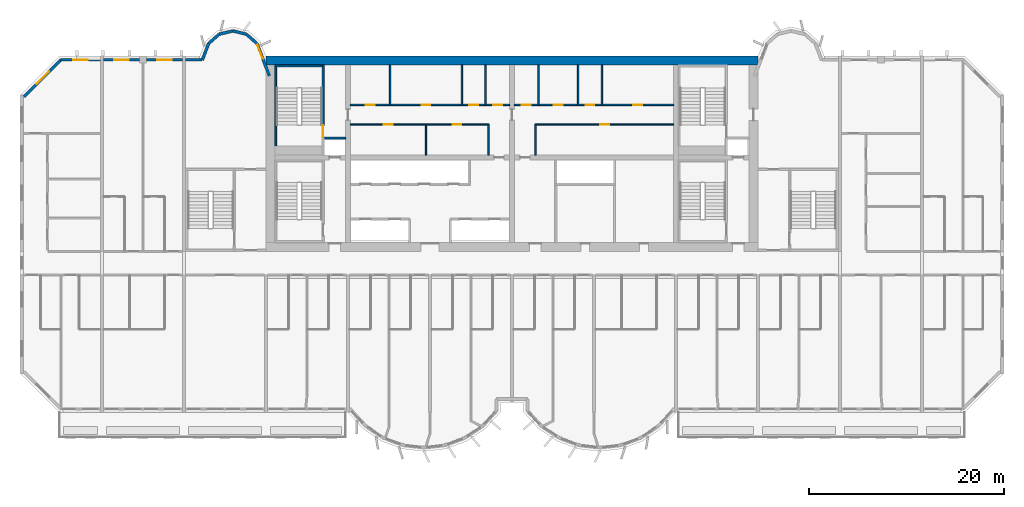
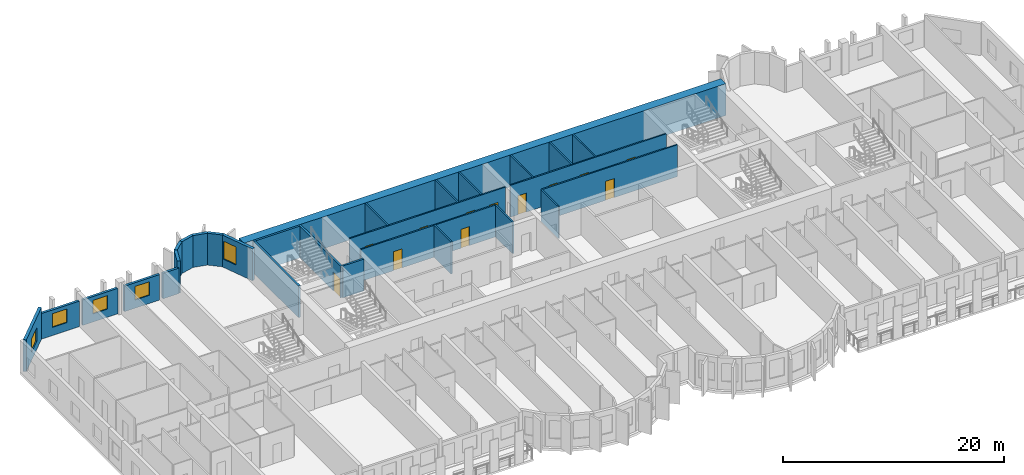
# One storey, part 7 of 14: 29 walls, 12 doors, 5 windows, 17 openings.
"""IFC4 building model written with IfcOpenShell, lengths in metres."""

from ifc_helpers import new_model, si_unit, direction, frame, frame_2d, origin, place, context, subcontext, project, spatial, rectangle, extrude, source, transform, mapped, material, layer, layer_set, type_object, element, fill, save


model = new_model("IFC4")

# Units and contexts
model_context = context("Model", 3, precision=1e-05, world=origin(), true_north=direction((0.0, 1.0)))
body_context = subcontext(model_context, "Body", "Model", "MODEL_VIEW")
ifc_project = project(units=[si_unit("LENGTHUNIT", "METRE"), si_unit("AREAUNIT", "SQUARE_METRE"), si_unit("VOLUMEUNIT", "CUBIC_METRE"), si_unit("PLANEANGLEUNIT", "RADIAN"), si_unit("MASSUNIT", "GRAM", prefix="KILO")], contexts=[model_context])

# Site, building, storey
site_placement = place(None, origin())
site = spatial("IfcSite", under=ifc_project, at=site_placement, CompositionType="ELEMENT")
building_placement = place(site_placement, origin())
building = spatial("IfcBuilding", under=site, at=building_placement, Name="Vanashikhar Sky Hotel", CompositionType="ELEMENT")
storey_placement = place(building_placement, frame((0.0, 0.0, 99.0)))
storey = spatial("IfcBuildingStorey", under=building, at=storey_placement, Name="L23", CompositionType="ELEMENT", Elevation=99.0)

# Wall
ifc_material_1 = material(Name="Concrete M70", Category="concrete")
ifc_layer_1 = layer(ifc_material_1, 0.89990234375)
ifc_layer_set_1 = layer_set([ifc_layer_1], Name="RC core shell wall 900 Concrete M70")
wall_type_1 = type_object("IfcWallType", Name="RC core shell wall 900 Concrete M70", PredefinedType="SHEAR", material=ifc_layer_set_1)
shared_shape_1 = source(origin(), body_context, "Body", "SweptSolid", [
    extrude(rectangle(XDim=50.400146484375, YDim=0.89990234375, at=frame_2d((25.2001953125, 0.0))), origin(), (0.0, 0.0, 1.0), 3.52001953125),
])
wall_1_placement = place(storey_placement, frame((25.199951171875, 41.550048828125, 0.0), z_axis=(0.0, 0.0, 1.0), x_axis=(1.0, 0.0, 0.0)))
element("IfcWall", 1, at=wall_1_placement, inside=storey, type_object=wall_type_1, Name="KW-L23-KN", PredefinedType="SHEAR", context=body_context, shape_type="MappedRepresentation", body=[
    mapped(shared_shape_1, transform((0.0, 0.0, 0.0), scale=1.0)),
])

# Wall, opening, window
ifc_material_2 = material(Name="Concrete M50", Category="concrete")
ifc_layer_2 = layer(ifc_material_2, 0.300048828125)
ifc_layer_set_2 = layer_set([ifc_layer_2], Name="Lobe wall 300")
wall_type_2 = type_object("IfcWallType", Name="Lobe wall 300", PredefinedType="SOLIDWALL", material=ifc_layer_set_2)
shared_shape_2 = source(origin(), body_context, "Body", "SweptSolid", [
    extrude(rectangle(XDim=5.32568359375, YDim=0.300048828125, at=frame_2d((2.662841796875, 0.0))), origin(), (0.0, 0.0, 1.0), 3.52001953125),
])
wall_2_placement = place(storey_placement, frame((4.165771484375, 41.60009765625, 0.0), z_axis=(0.0, 0.0, 1.0), x_axis=(-0.707106781187, -0.707106781187, 0.0)))
wall_2 = element("IfcWall", 2, at=wall_2_placement, inside=storey, type_object=wall_type_2, Name="Corner wall", PredefinedType="SOLIDWALL", context=body_context, shape_type="MappedRepresentation", body=[
    mapped(shared_shape_2, transform((0.0, 0.0, 0.0), scale=1.0)),
])
shared_shape_3 = source(origin(), body_context, "Body", "SweptSolid", [
    extrude(rectangle(XDim=1.800048828125, YDim=1.5, at=frame_2d((0.89990234375, 0.75))), frame((0.0, 0.16015625, 0.0), z_axis=(0.0, -1.0, 0.0), x_axis=(1.0, 0.0, 0.0)), (0.0, 0.0, 1.0), 0.320068359375),
])
opening_1_placement = place(wall_2_placement, frame((1.671875, 0.0, 0.89990234375)))
opening_1 = element("IfcOpeningElement", 3, at=opening_1_placement, cuts=wall_2, Name="Opening WN-4", PredefinedType="OPENING", context=body_context, shape_type="MappedRepresentation", body=[
    mapped(shared_shape_3, transform((0.0, 0.0, 0.0), scale=1.0)),
])
ifc_material_3 = material(Name="Glass", Category="glass")
window_type_1 = type_object("IfcWindowType", Name="Corner window 1800 x 1500", PartitioningType="SINGLE_PANEL", PredefinedType="WINDOW", material=ifc_material_3)
shared_shape_4 = source(origin(), body_context, "Body", "SweptSolid", [
    extrude(rectangle(XDim=1.800048828125, YDim=1.5, at=frame_2d((0.89990234375, 0.75))), frame((0.0, 0.030029296875, 0.0), z_axis=(0.0, -1.0, 0.0), x_axis=(1.0, 0.0, 0.0)), (0.0, 0.0, 1.0), 0.06005859375),
])
window_1_placement = place(opening_1_placement, origin())
window_1 = element("IfcWindow", 4, at=window_1_placement, inside=storey, type_object=window_type_1, Name="Window WN-4", OverallHeight=1.5, OverallWidth=1.800048828125, PartitioningType="SINGLE_PANEL", PredefinedType="WINDOW", context=body_context, shape_type="MappedRepresentation", body=[
    mapped(shared_shape_4, transform((0.0, 0.0, 0.0), scale=1.0)),
])
fill(opening_1, window_1)

shared_shape_5 = source(origin(), body_context, "Body", "SweptSolid", [
    extrude(rectangle(XDim=3.55908203125, YDim=0.300048828125, at=frame_2d((1.779541015625, 0.0))), origin(), (0.0, 0.0, 1.0), 3.52001953125),
])
wall_3_placement = place(storey_placement, frame((25.550048828125, 39.968505859375, 0.0), z_axis=(0.0, 0.0, 1.0), x_axis=(-0.35779745313, 0.933799219604, 0.0)))
wall_3 = element("IfcWall", 5, at=wall_3_placement, inside=storey, type_object=wall_type_2, Name="Lobe wall", PredefinedType="SOLIDWALL", context=body_context, shape_type="MappedRepresentation", body=[
    mapped(shared_shape_5, transform((0.0, 0.0, 0.0), scale=1.0)),
])
shared_shape_6 = source(origin(), body_context, "Body", "SweptSolid", [
    extrude(rectangle(XDim=1.5, YDim=2.0, at=frame_2d((0.75, 1.0))), frame((0.0, 0.16015625, 0.0), z_axis=(0.0, -1.0, 0.0), x_axis=(1.0, 0.0, 0.0)), (0.0, 0.0, 1.0), 0.320068359375),
])
opening_2_placement = place(wall_3_placement, frame((1.9033203125, 0.0, 0.89990234375)))
opening_2 = element("IfcOpeningElement", 6, at=opening_2_placement, cuts=wall_3, Name="Opening WN-2", PredefinedType="OPENING", context=body_context, shape_type="MappedRepresentation", body=[
    mapped(shared_shape_6, transform((0.0, 0.0, 0.0), scale=1.0)),
])
window_type_2 = type_object("IfcWindowType", Name="Lobe window 1500 x 2000", PartitioningType="SINGLE_PANEL", PredefinedType="WINDOW", material=ifc_material_3)
shared_shape_7 = source(origin(), body_context, "Body", "SweptSolid", [
    extrude(rectangle(XDim=1.5, YDim=2.0, at=frame_2d((0.75, 1.0))), frame((0.0, 0.030029296875, 0.0), z_axis=(0.0, -1.0, 0.0), x_axis=(1.0, 0.0, 0.0)), (0.0, 0.0, 1.0), 0.06005859375),
])
window_2_placement = place(opening_2_placement, origin())
window_2 = element("IfcWindow", 7, at=window_2_placement, inside=storey, type_object=window_type_2, Name="Window WN-2", OverallHeight=2.0, OverallWidth=1.5, PartitioningType="SINGLE_PANEL", PredefinedType="WINDOW", context=body_context, shape_type="MappedRepresentation", body=[
    mapped(shared_shape_7, transform((0.0, 0.0, 0.0), scale=1.0)),
])
fill(opening_2, window_2)

# Walls
shared_shape_8 = source(origin(), body_context, "Body", "SweptSolid", [
    extrude(rectangle(XDim=1.440185546875, YDim=0.300048828125, at=frame_2d((0.72021484375, 0.0))), origin(), (0.0, 0.0, 1.0), 3.52001953125),
])
wall_4_placement = place(storey_placement, frame((24.276611328125, 43.2919921875, 0.0), z_axis=(0.0, 0.0, 1.0), x_axis=(-0.749649827867, 0.661834673902, 0.0)))
element("IfcWall", 8, at=wall_4_placement, inside=storey, type_object=wall_type_2, Name="Lobe wall", PredefinedType="SOLIDWALL", context=body_context, shape_type="MappedRepresentation", body=[
    mapped(shared_shape_8, transform((0.0, 0.0, 0.0), scale=1.0)),
])
shared_shape_9 = source(origin(), body_context, "Body", "SweptSolid", [
    extrude(rectangle(XDim=1.4384765625, YDim=0.300048828125, at=frame_2d((0.71923828125, 0.0))), origin(), (0.0, 0.0, 1.0), 3.52001953125),
])
wall_5_placement = place(storey_placement, frame((23.197021484375, 44.2451171875, 0.0), z_axis=(0.0, 0.0, 1.0), x_axis=(-0.971152283879, 0.238460146601, 0.0)))
element("IfcWall", 9, at=wall_5_placement, inside=storey, type_object=wall_type_2, Name="Lobe wall", PredefinedType="SOLIDWALL", context=body_context, shape_type="MappedRepresentation", body=[
    mapped(shared_shape_9, transform((0.0, 0.0, 0.0), scale=1.0)),
])
shared_shape_10 = source(origin(), body_context, "Body", "SweptSolid", [
    extrude(rectangle(XDim=1.438720703125, YDim=0.300048828125, at=frame_2d((0.71923828125, 0.0))), origin(), (0.0, 0.0, 1.0), 3.52001953125),
])
wall_6_placement = place(storey_placement, frame((21.800048828125, 44.588134765625, 0.0), z_axis=(0.0, 0.0, 1.0), x_axis=(-0.971161932466, -0.238420848351, 0.0)))
element("IfcWall", 10, at=wall_6_placement, inside=storey, type_object=wall_type_2, Name="Lobe wall", PredefinedType="SOLIDWALL", context=body_context, shape_type="MappedRepresentation", body=[
    mapped(shared_shape_10, transform((0.0, 0.0, 0.0), scale=1.0)),
])
shared_shape_11 = source(origin(), body_context, "Body", "SweptSolid", [
    extrude(rectangle(XDim=1.43994140625, YDim=0.300048828125, at=frame_2d((0.719970703125, 0.0))), origin(), (0.0, 0.0, 1.0), 3.52001953125),
])
wall_7_placement = place(storey_placement, frame((20.40283203125, 44.2451171875, 0.0), z_axis=(0.0, 0.0, 1.0), x_axis=(-0.74957555648, -0.661918790432, 0.0)))
element("IfcWall", 11, at=wall_7_placement, inside=storey, type_object=wall_type_2, Name="Lobe wall", PredefinedType="SOLIDWALL", context=body_context, shape_type="MappedRepresentation", body=[
    mapped(shared_shape_11, transform((0.0, 0.0, 0.0), scale=1.0)),
])
shared_shape_12 = source(origin(), body_context, "Body", "SweptSolid", [
    extrude(rectangle(XDim=1.81201171875, YDim=0.300048828125, at=frame_2d((0.906005859375, 0.0))), origin(), (0.0, 0.0, 1.0), 3.52001953125),
])
wall_8_placement = place(storey_placement, frame((19.323486328125, 43.2919921875, 0.0), z_axis=(0.0, 0.0, 1.0), x_axis=(-0.357877270961, -0.93376863244, 0.0)))
element("IfcWall", 12, at=wall_8_placement, inside=storey, type_object=wall_type_2, Name="Lobe wall", PredefinedType="SOLIDWALL", context=body_context, shape_type="MappedRepresentation", body=[
    mapped(shared_shape_12, transform((0.0, 0.0, 0.0), scale=1.0)),
])

# Wall, opening, window
ifc_layer_3 = layer(ifc_material_2, 0.25)
ifc_layer_set_3 = layer_set([ifc_layer_3], Name="Rear and end board-marked wall 250")
wall_type_3 = type_object("IfcWallType", Name="Rear and end board-marked wall 250", PredefinedType="SOLIDWALL", material=ifc_layer_set_3)
shared_shape_13 = source(origin(), body_context, "Body", "SweptSolid", [
    extrude(rectangle(XDim=4.06982421875, YDim=0.25, at=frame_2d((2.034912109375, 0.0))), origin(), (0.0, 0.0, 1.0), 2.820068359375),
])
wall_9_placement = place(storey_placement, frame((8.22509765625, 41.625, 0.0), z_axis=(0.0, 0.0, 1.0), x_axis=(-1.0, 0.0, 0.0)))
wall_9 = element("IfcWall", 13, at=wall_9_placement, inside=storey, type_object=wall_type_3, Name="Rear board-marked wall", PredefinedType="SOLIDWALL", context=body_context, shape_type="MappedRepresentation", body=[
    mapped(shared_shape_13, transform((0.0, 0.0, 0.0), scale=1.0)),
])
shared_shape_14 = source(origin(), body_context, "Body", "SweptSolid", [
    extrude(rectangle(XDim=1.5, YDim=1.5, at=frame_2d((0.75, 0.75))), frame((0.0, 0.135009765625, 0.0), z_axis=(0.0, -1.0, 0.0), x_axis=(1.0, 0.0, 0.0)), (0.0, 0.0, 1.0), 0.27001953125),
])
opening_3_placement = place(wall_9_placement, frame((1.284912109375, 0.0, 0.89990234375)))
opening_3 = element("IfcOpeningElement", 14, at=opening_3_placement, cuts=wall_9, Name="Opening WN-1", PredefinedType="OPENING", context=body_context, shape_type="MappedRepresentation", body=[
    mapped(shared_shape_14, transform((0.0, 0.0, 0.0), scale=1.0)),
])
window_type_3 = type_object("IfcWindowType", Name="Window 1500 x 1500", PartitioningType="SINGLE_PANEL", PredefinedType="WINDOW", material=ifc_material_3)
shared_shape_15 = source(origin(), body_context, "Body", "SweptSolid", [
    extrude(rectangle(XDim=1.5, YDim=1.5, at=frame_2d((0.75, 0.75))), frame((0.0, 0.030029296875, 0.0), z_axis=(0.0, -1.0, 0.0), x_axis=(1.0, 0.0, 0.0)), (0.0, 0.0, 1.0), 0.06005859375),
])
window_3_placement = place(opening_3_placement, origin())
window_3 = element("IfcWindow", 15, at=window_3_placement, inside=storey, type_object=window_type_3, Name="Window WN-1", OverallHeight=1.5, OverallWidth=1.5, PartitioningType="SINGLE_PANEL", PredefinedType="WINDOW", context=body_context, shape_type="MappedRepresentation", body=[
    mapped(shared_shape_15, transform((0.0, 0.0, 0.0), scale=1.0)),
])
fill(opening_3, window_3)

shared_shape_16 = source(origin(), body_context, "Body", "SweptSolid", [
    extrude(rectangle(XDim=3.675048828125, YDim=0.25, at=frame_2d((1.83740234375, 0.0))), origin(), (0.0, 0.0, 1.0), 2.820068359375),
])
wall_10_placement = place(storey_placement, frame((12.25, 41.625, 0.0), z_axis=(0.0, 0.0, 1.0), x_axis=(-1.0, 0.0, 0.0)))
wall_10 = element("IfcWall", 16, at=wall_10_placement, inside=storey, type_object=wall_type_3, Name="Rear board-marked wall", PredefinedType="SOLIDWALL", context=body_context, shape_type="MappedRepresentation", body=[
    mapped(shared_shape_16, transform((0.0, 0.0, 0.0), scale=1.0)),
])
opening_4_placement = place(wall_10_placement, frame((1.08740234375, 0.0, 0.89990234375)))
opening_4 = element("IfcOpeningElement", 17, at=opening_4_placement, cuts=wall_10, Name="Opening WN-1", PredefinedType="OPENING", context=body_context, shape_type="MappedRepresentation", body=[
    mapped(shared_shape_14, transform((0.0, 0.0, 0.0), scale=1.0)),
])
window_4_placement = place(opening_4_placement, origin())
window_4 = element("IfcWindow", 18, at=window_4_placement, inside=storey, type_object=window_type_3, Name="Window WN-1", OverallHeight=1.5, OverallWidth=1.5, PartitioningType="SINGLE_PANEL", PredefinedType="WINDOW", context=body_context, shape_type="MappedRepresentation", body=[
    mapped(shared_shape_15, transform((0.0, 0.0, 0.0), scale=1.0)),
])
fill(opening_4, window_4)

wall_11_placement = place(storey_placement, frame((16.625, 41.625, 0.0), z_axis=(0.0, 0.0, 1.0), x_axis=(-1.0, 0.0, 0.0)))
wall_11 = element("IfcWall", 19, at=wall_11_placement, inside=storey, type_object=wall_type_3, Name="Rear board-marked wall", PredefinedType="SOLIDWALL", context=body_context, shape_type="MappedRepresentation", body=[
    mapped(shared_shape_16, transform((0.0, 0.0, 0.0), scale=1.0)),
])
opening_5_placement = place(wall_11_placement, frame((1.08740234375, 0.0, 0.89990234375)))
opening_5 = element("IfcOpeningElement", 20, at=opening_5_placement, cuts=wall_11, Name="Opening WN-1", PredefinedType="OPENING", context=body_context, shape_type="MappedRepresentation", body=[
    mapped(shared_shape_14, transform((0.0, 0.0, 0.0), scale=1.0)),
])
window_5_placement = place(opening_5_placement, origin())
window_5 = element("IfcWindow", 21, at=window_5_placement, inside=storey, type_object=window_type_3, Name="Window WN-1", OverallHeight=1.5, OverallWidth=1.5, PartitioningType="SINGLE_PANEL", PredefinedType="WINDOW", context=body_context, shape_type="MappedRepresentation", body=[
    mapped(shared_shape_15, transform((0.0, 0.0, 0.0), scale=1.0)),
])
fill(opening_5, window_5)

# Walls
shared_shape_17 = source(origin(), body_context, "Body", "SweptSolid", [
    extrude(rectangle(XDim=1.682861328125, YDim=0.25, at=frame_2d((0.84130859375, 0.0))), origin(), (0.0, 0.0, 1.0), 2.820068359375),
])
wall_12_placement = place(storey_placement, frame((18.657958984375, 41.625, 0.0), z_axis=(0.0, 0.0, 1.0), x_axis=(-1.0, 0.0, 0.0)))
element("IfcWall", 22, at=wall_12_placement, inside=storey, type_object=wall_type_3, Name="Rear board-marked wall", PredefinedType="SOLIDWALL", context=body_context, shape_type="MappedRepresentation", body=[
    mapped(shared_shape_17, transform((0.0, 0.0, 0.0), scale=1.0)),
])
ifc_material_4 = material(Name="Gypsum board partition")
ifc_layer_4 = layer(ifc_material_4, 0.14990234375)
ifc_layer_set_4 = layer_set([ifc_layer_4], Name="Service partition 150")
wall_type_4 = type_object("IfcWallType", Name="Service partition 150", PredefinedType="PARTITIONING", material=ifc_layer_set_4)
shared_shape_18 = source(origin(), body_context, "Body", "SweptSolid", [
    extrude(rectangle(XDim=3.14990234375, YDim=0.14990234375, at=frame_2d((1.574951171875, 0.0))), origin(), (0.0, 0.0, 1.0), 3.52001953125),
])
for number, where, z_axis, x_axis, name in (
    (23, (48.0, 31.85009765625, 0.0), (0.0, 0.0, 1.0), (0.0, 1.0, 0.0), "Service partition 150"),
    (24, (41.591064453125, 31.85009765625, 0.0), (0.0, 0.0, 1.0), (0.0, 1.0, 0.0), "Service partition 150"),
    (25, (52.800048828125, 31.85009765625, 0.0), (0.0, 0.0, 1.0), (0.0, 1.0, 0.0), "Service partition 150"),
):
    element("IfcWall", number, at=place(storey_placement, frame(where, z_axis=z_axis, x_axis=x_axis)), inside=storey, type_object=wall_type_4, Name=name, PredefinedType="PARTITIONING", context=body_context, shape_type="MappedRepresentation", body=[
        mapped(shared_shape_18, transform((0.0, 0.0, 0.0), scale=1.0)),
    ])

# Wall, openings, doors
shared_shape_19 = source(origin(), body_context, "Body", "SweptSolid", [
    extrude(rectangle(XDim=14.14990234375, YDim=0.14990234375, at=frame_2d((7.074951171875, 0.0))), origin(), (0.0, 0.0, 1.0), 3.52001953125),
])
wall_13_placement = place(storey_placement, frame((33.85009765625, 35.0, 0.0), z_axis=(0.0, 0.0, 1.0), x_axis=(1.0, 0.0, 0.0)))
wall_13 = element("IfcWall", 26, at=wall_13_placement, inside=storey, type_object=wall_type_4, Name="Service partition 150", PredefinedType="PARTITIONING", context=body_context, shape_type="MappedRepresentation", body=[
    mapped(shared_shape_19, transform((0.0, 0.0, 0.0), scale=1.0)),
])
shared_shape_20 = source(origin(), body_context, "Body", "SweptSolid", [
    extrude(rectangle(XDim=0.89990234375, YDim=2.10009765625, at=frame_2d((0.449951171875, 1.050048828125))), frame((0.0, 0.0849609375, 0.0), z_axis=(0.0, -1.0, 0.0), x_axis=(1.0, 0.0, 0.0)), (0.0, 0.0, 1.0), 0.169921875),
])
opening_6_placement = place(wall_13_placement, frame((3.4208984375, 0.0, 0.0)))
opening_6 = element("IfcOpeningElement", 27, at=opening_6_placement, cuts=wall_13, Name="Opening DC-4-A", PredefinedType="OPENING", context=body_context, shape_type="MappedRepresentation", body=[
    mapped(shared_shape_20, transform((0.0, 0.0, 0.0), scale=1.0)),
])
opening_7_placement = place(wall_13_placement, frame((10.4580078125, 0.0, 0.0)))
opening_7 = element("IfcOpeningElement", 28, at=opening_7_placement, cuts=wall_13, Name="Opening DC-4-A", PredefinedType="OPENING", context=body_context, shape_type="MappedRepresentation", body=[
    mapped(shared_shape_20, transform((0.0, 0.0, 0.0), scale=1.0)),
])
ifc_material_5 = material(Name="Steel", Category="steel")
door_type_1 = type_object("IfcDoorType", Name="Service door 900 FD60", OperationType="NOTDEFINED", PredefinedType="DOOR", material=ifc_material_5)
shared_shape_21 = source(origin(), body_context, "Body", "SweptSolid", [
    extrude(rectangle(XDim=0.89990234375, YDim=2.10009765625, at=frame_2d((0.449951171875, 1.050048828125))), frame((0.0, 0.02490234375, 0.0), z_axis=(0.0, -1.0, 0.0), x_axis=(1.0, 0.0, 0.0)), (0.0, 0.0, 1.0), 0.050048828125),
])
door_1_placement = place(opening_6_placement, origin())
door_1 = element("IfcDoor", 29, at=door_1_placement, inside=storey, type_object=door_type_1, Name="Service door 900 FD60", OperationType="SINGLE_SWING_RIGHT", OverallHeight=2.10009765625, OverallWidth=0.89990234375, PredefinedType="DOOR", context=body_context, shape_type="MappedRepresentation", body=[
    mapped(shared_shape_21, transform((0.0, 0.0, 0.0), scale=1.0)),
])
fill(opening_6, door_1)
door_2_placement = place(opening_7_placement, origin())
door_2 = element("IfcDoor", 30, at=door_2_placement, inside=storey, type_object=door_type_1, Name="Service door 900 FD60", OperationType="SINGLE_SWING_RIGHT", OverallHeight=2.10009765625, OverallWidth=0.89990234375, PredefinedType="DOOR", context=body_context, shape_type="MappedRepresentation", body=[
    mapped(shared_shape_21, transform((0.0, 0.0, 0.0), scale=1.0)),
])
fill(opening_7, door_2)

# Wall, opening, door
wall_14_placement = place(storey_placement, frame((66.949951171875, 35.0, 0.0), z_axis=(0.0, 0.0, 1.0), x_axis=(-1.0, 0.0, 0.0)))
wall_14 = element("IfcWall", 31, at=wall_14_placement, inside=storey, type_object=wall_type_4, Name="Service partition 150", PredefinedType="PARTITIONING", context=body_context, shape_type="MappedRepresentation", body=[
    mapped(shared_shape_19, transform((0.0, 0.0, 0.0), scale=1.0)),
])
opening_8_placement = place(wall_14_placement, frame((6.587890625, 0.0, 0.0)))
opening_8 = element("IfcOpeningElement", 32, at=opening_8_placement, cuts=wall_14, Name="Opening DC-4-A", PredefinedType="OPENING", context=body_context, shape_type="MappedRepresentation", body=[
    mapped(shared_shape_20, transform((0.0, 0.0, 0.0), scale=1.0)),
])
door_3_placement = place(opening_8_placement, origin())
door_3 = element("IfcDoor", 33, at=door_3_placement, inside=storey, type_object=door_type_1, Name="Service door 900 FD60", OperationType="SINGLE_SWING_RIGHT", OverallHeight=2.10009765625, OverallWidth=0.89990234375, PredefinedType="DOOR", context=body_context, shape_type="MappedRepresentation", body=[
    mapped(shared_shape_21, transform((0.0, 0.0, 0.0), scale=1.0)),
])
fill(opening_8, door_3)

# Wall, openings, doors
shared_shape_22 = source(origin(), body_context, "Body", "SweptSolid", [
    extrude(rectangle(XDim=16.2998046875, YDim=0.14990234375, at=frame_2d((8.14990234375, 0.0))), origin(), (0.0, 0.0, 1.0), 3.52001953125),
])
wall_15_placement = place(storey_placement, frame((33.85009765625, 37.0, 0.0), z_axis=(0.0, 0.0, 1.0), x_axis=(1.0, 0.0, 0.0)))
wall_15 = element("IfcWall", 34, at=wall_15_placement, inside=storey, type_object=wall_type_4, Name="Service partition 150", PredefinedType="PARTITIONING", context=body_context, shape_type="MappedRepresentation", body=[
    mapped(shared_shape_22, transform((0.0, 0.0, 0.0), scale=1.0)),
])
opening_9_placement = place(wall_15_placement, frame((1.587890625, 0.0, 0.0)))
opening_9 = element("IfcOpeningElement", 35, at=opening_9_placement, cuts=wall_15, Name="Opening DC-4-A", PredefinedType="OPENING", context=body_context, shape_type="MappedRepresentation", body=[
    mapped(shared_shape_20, transform((0.0, 0.0, 0.0), scale=1.0)),
])
opening_10_placement = place(wall_15_placement, frame((7.29296875, 0.0, 0.0)))
opening_10 = element("IfcOpeningElement", 36, at=opening_10_placement, cuts=wall_15, Name="Opening DC-4-A", PredefinedType="OPENING", context=body_context, shape_type="MappedRepresentation", body=[
    mapped(shared_shape_20, transform((0.0, 0.0, 0.0), scale=1.0)),
])
opening_11_placement = place(wall_15_placement, frame((12.18310546875, 0.0, 0.0)))
opening_11 = element("IfcOpeningElement", 37, at=opening_11_placement, cuts=wall_15, Name="Opening DC-4-A", PredefinedType="OPENING", context=body_context, shape_type="MappedRepresentation", body=[
    mapped(shared_shape_20, transform((0.0, 0.0, 0.0), scale=1.0)),
])
opening_12_placement = place(wall_15_placement, frame((14.626953125, 0.0, 0.0)))
opening_12 = element("IfcOpeningElement", 38, at=opening_12_placement, cuts=wall_15, Name="Opening DC-4-A", PredefinedType="OPENING", context=body_context, shape_type="MappedRepresentation", body=[
    mapped(shared_shape_20, transform((0.0, 0.0, 0.0), scale=1.0)),
])
door_4_placement = place(opening_9_placement, origin())
door_4 = element("IfcDoor", 39, at=door_4_placement, inside=storey, type_object=door_type_1, Name="Service door 900 FD60", OperationType="SINGLE_SWING_RIGHT", OverallHeight=2.10009765625, OverallWidth=0.89990234375, PredefinedType="DOOR", context=body_context, shape_type="MappedRepresentation", body=[
    mapped(shared_shape_21, transform((0.0, 0.0, 0.0), scale=1.0)),
])
fill(opening_9, door_4)
door_5_placement = place(opening_10_placement, origin())
door_5 = element("IfcDoor", 40, at=door_5_placement, inside=storey, type_object=door_type_1, Name="Service door 900 FD60", OperationType="SINGLE_SWING_RIGHT", OverallHeight=2.10009765625, OverallWidth=0.89990234375, PredefinedType="DOOR", context=body_context, shape_type="MappedRepresentation", body=[
    mapped(shared_shape_21, transform((0.0, 0.0, 0.0), scale=1.0)),
])
fill(opening_10, door_5)
door_6_placement = place(opening_11_placement, origin())
door_6 = element("IfcDoor", 41, at=door_6_placement, inside=storey, type_object=door_type_1, Name="Service door 900 FD60", OperationType="SINGLE_SWING_RIGHT", OverallHeight=2.10009765625, OverallWidth=0.89990234375, PredefinedType="DOOR", context=body_context, shape_type="MappedRepresentation", body=[
    mapped(shared_shape_21, transform((0.0, 0.0, 0.0), scale=1.0)),
])
fill(opening_11, door_6)
door_7_placement = place(opening_12_placement, origin())
door_7 = element("IfcDoor", 42, at=door_7_placement, inside=storey, type_object=door_type_1, Name="Service door 900 FD60", OperationType="SINGLE_SWING_LEFT", OverallHeight=2.10009765625, OverallWidth=0.89990234375, PredefinedType="DOOR", context=body_context, shape_type="MappedRepresentation", body=[
    mapped(shared_shape_21, transform((0.0, 0.0, 0.0), scale=1.0)),
])
fill(opening_12, door_7)

# Walls
shared_shape_23 = source(origin(), body_context, "Body", "SweptSolid", [
    extrude(rectangle(XDim=4.10009765625, YDim=0.14990234375, at=frame_2d((2.050048828125, 0.0))), origin(), (0.0, 0.0, 1.0), 3.52001953125),
])
for number, where, z_axis, x_axis, name in (
    (43, (37.925048828125, 37.0, 0.0), (0.0, 0.0, 1.0), (0.0, 1.0, 0.0), "Service partition 150"),
    (44, (45.260009765625, 37.0, 0.0), (0.0, 0.0, 1.0), (0.0, 1.0, 0.0), "Service partition 150"),
    (45, (47.705078125, 37.0, 0.0), (0.0, 0.0, 1.0), (0.0, 1.0, 0.0), "Service partition 150"),
    (46, (59.614990234375, 37.0, 0.0), (0.0, 0.0, 1.0), (0.0, 1.0, 0.0), "Service partition 150"),
    (47, (57.169921875, 37.0, 0.0), (0.0, 0.0, 1.0), (0.0, 1.0, 0.0), "Service partition 150"),
    (48, (53.094970703125, 37.0, 0.0), (0.0, 0.0, 1.0), (0.0, 1.0, 0.0), "Service partition 150"),
):
    element("IfcWall", number, at=place(storey_placement, frame(where, z_axis=z_axis, x_axis=x_axis)), inside=storey, type_object=wall_type_4, Name=name, PredefinedType="PARTITIONING", context=body_context, shape_type="MappedRepresentation", body=[
        mapped(shared_shape_23, transform((0.0, 0.0, 0.0), scale=1.0)),
    ])

# Wall, openings, doors
shared_shape_24 = source(origin(), body_context, "Body", "SweptSolid", [
    extrude(rectangle(XDim=16.300048828125, YDim=0.14990234375, at=frame_2d((8.14990234375, 0.0))), origin(), (0.0, 0.0, 1.0), 3.52001953125),
])
wall_16_placement = place(storey_placement, frame((66.949951171875, 37.0, 0.0), z_axis=(0.0, 0.0, 1.0), x_axis=(-1.0, 0.0, 0.0)))
wall_16 = element("IfcWall", 49, at=wall_16_placement, inside=storey, type_object=wall_type_4, Name="Service partition 150", PredefinedType="PARTITIONING", context=body_context, shape_type="MappedRepresentation", body=[
    mapped(shared_shape_24, transform((0.0, 0.0, 0.0), scale=1.0)),
])
opening_13_placement = place(wall_16_placement, frame((3.218017578125, 0.0, 0.0)))
opening_13 = element("IfcOpeningElement", 50, at=opening_13_placement, cuts=wall_16, Name="Opening DC-4-A", PredefinedType="OPENING", context=body_context, shape_type="MappedRepresentation", body=[
    mapped(shared_shape_20, transform((0.0, 0.0, 0.0), scale=1.0)),
])
opening_14_placement = place(wall_16_placement, frame((8.10791015625, 0.0, 0.0)))
opening_14 = element("IfcOpeningElement", 51, at=opening_14_placement, cuts=wall_16, Name="Opening DC-4-A", PredefinedType="OPENING", context=body_context, shape_type="MappedRepresentation", body=[
    mapped(shared_shape_20, transform((0.0, 0.0, 0.0), scale=1.0)),
])
opening_15_placement = place(wall_16_placement, frame((11.367919921875, 0.0, 0.0)))
opening_15 = element("IfcOpeningElement", 52, at=opening_15_placement, cuts=wall_16, Name="Opening DC-4-A", PredefinedType="OPENING", context=body_context, shape_type="MappedRepresentation", body=[
    mapped(shared_shape_20, transform((0.0, 0.0, 0.0), scale=1.0)),
])
opening_16_placement = place(wall_16_placement, frame((14.626953125, 0.0, 0.0)))
opening_16 = element("IfcOpeningElement", 53, at=opening_16_placement, cuts=wall_16, Name="Opening DC-4-A", PredefinedType="OPENING", context=body_context, shape_type="MappedRepresentation", body=[
    mapped(shared_shape_20, transform((0.0, 0.0, 0.0), scale=1.0)),
])
door_8_placement = place(opening_13_placement, origin())
door_8 = element("IfcDoor", 54, at=door_8_placement, inside=storey, type_object=door_type_1, Name="Service door 900 FD60", OperationType="SINGLE_SWING_LEFT", OverallHeight=2.10009765625, OverallWidth=0.89990234375, PredefinedType="DOOR", context=body_context, shape_type="MappedRepresentation", body=[
    mapped(shared_shape_21, transform((0.0, 0.0, 0.0), scale=1.0)),
])
fill(opening_13, door_8)
door_9_placement = place(opening_14_placement, origin())
door_9 = element("IfcDoor", 55, at=door_9_placement, inside=storey, type_object=door_type_1, Name="Service door 900 FD60", OperationType="SINGLE_SWING_LEFT", OverallHeight=2.10009765625, OverallWidth=0.89990234375, PredefinedType="DOOR", context=body_context, shape_type="MappedRepresentation", body=[
    mapped(shared_shape_21, transform((0.0, 0.0, 0.0), scale=1.0)),
])
fill(opening_14, door_9)
door_10_placement = place(opening_15_placement, origin())
door_10 = element("IfcDoor", 56, at=door_10_placement, inside=storey, type_object=door_type_1, Name="Service door 900 FD60", OperationType="SINGLE_SWING_LEFT", OverallHeight=2.10009765625, OverallWidth=0.89990234375, PredefinedType="DOOR", context=body_context, shape_type="MappedRepresentation", body=[
    mapped(shared_shape_21, transform((0.0, 0.0, 0.0), scale=1.0)),
])
fill(opening_15, door_10)
door_11_placement = place(opening_16_placement, origin())
door_11 = element("IfcDoor", 57, at=door_11_placement, inside=storey, type_object=door_type_1, Name="Service door 900 FD60", OperationType="SINGLE_SWING_RIGHT", OverallHeight=2.10009765625, OverallWidth=0.89990234375, PredefinedType="DOOR", context=body_context, shape_type="MappedRepresentation", body=[
    mapped(shared_shape_21, transform((0.0, 0.0, 0.0), scale=1.0)),
])
fill(opening_16, door_11)

# Wall
ifc_material_6 = material(Name="Concrete M40", Category="concrete")
ifc_layer_5 = layer(ifc_material_6, 0.199951171875)
ifc_layer_set_5 = layer_set([ifc_layer_5], Name="Shaft wall 200")
wall_type_5 = type_object("IfcWallType", Name="Shaft wall 200", PredefinedType="SOLIDWALL", material=ifc_layer_set_5)
shared_shape_25 = source(origin(), body_context, "Body", "SweptSolid", [
    extrude(rectangle(XDim=2.2001953125, YDim=0.199951171875, at=frame_2d((1.10009765625, 0.0))), origin(), (0.0, 0.0, 1.0), 3.52001953125),
])
wall_17_placement = place(storey_placement, frame((31.14990234375, 33.60009765625, 0.0), z_axis=(0.0, 0.0, 1.0), x_axis=(1.0, 0.0, 0.0)))
element("IfcWall", 58, at=wall_17_placement, inside=storey, type_object=wall_type_5, Name="Shaft wall 200", PredefinedType="SOLIDWALL", context=body_context, shape_type="MappedRepresentation", body=[
    mapped(shared_shape_25, transform((0.0, 0.0, 0.0), scale=1.0)),
])

# Wall, opening, door
ifc_layer_6 = layer(ifc_material_2, 0.199951171875)
ifc_layer_set_6 = layer_set([ifc_layer_6], Name="Stair wall 200")
wall_type_6 = type_object("IfcWallType", Name="Stair wall 200", PredefinedType="SOLIDWALL", material=ifc_layer_set_6)
shared_shape_26 = source(origin(), body_context, "Body", "SweptSolid", [
    extrude(rectangle(XDim=7.5, YDim=0.199951171875, at=frame_2d((3.75, 0.0))), origin(), (0.0, 0.0, 1.0), 3.52001953125),
])
wall_18_placement = place(storey_placement, frame((31.050048828125, 33.60009765625, 0.0), z_axis=(0.0, 0.0, 1.0), x_axis=(0.0, 1.0, 0.0)))
wall_18 = element("IfcWall", 59, at=wall_18_placement, inside=storey, type_object=wall_type_6, Name="Stair wall 200", PredefinedType="SOLIDWALL", context=body_context, shape_type="MappedRepresentation", body=[
    mapped(shared_shape_26, transform((0.0, 0.0, 0.0), scale=1.0)),
])
shared_shape_27 = source(origin(), body_context, "Body", "SweptSolid", [
    extrude(rectangle(XDim=1.199951171875, YDim=2.10009765625, at=frame_2d((0.60009765625, 1.050048828125))), frame((0.0, 0.10986328125, 0.0), z_axis=(0.0, -1.0, 0.0), x_axis=(1.0, 0.0, 0.0)), (0.0, 0.0, 1.0), 0.219970703125),
])
opening_17_placement = place(wall_18_placement, frame((0.10009765625, 0.0, 0.0)))
opening_17 = element("IfcOpeningElement", 60, at=opening_17_placement, cuts=wall_18, Name="Opening DC-1", PredefinedType="OPENING", context=body_context, shape_type="MappedRepresentation", body=[
    mapped(shared_shape_27, transform((0.0, 0.0, 0.0), scale=1.0)),
])
door_type_2 = type_object("IfcDoorType", Name="Stair door 1200 FD120", OperationType="NOTDEFINED", PredefinedType="DOOR", material=ifc_material_5)
shared_shape_28 = source(origin(), body_context, "Body", "SweptSolid", [
    extrude(rectangle(XDim=1.199951171875, YDim=2.10009765625, at=frame_2d((0.60009765625, 1.050048828125))), frame((0.0, 0.02490234375, 0.0), z_axis=(0.0, -1.0, 0.0), x_axis=(1.0, 0.0, 0.0)), (0.0, 0.0, 1.0), 0.050048828125),
])
door_12_placement = place(opening_17_placement, origin())
door_12 = element("IfcDoor", 61, at=door_12_placement, inside=storey, type_object=door_type_2, Name="Stair door 1200 FD120", OperationType="SINGLE_SWING_RIGHT", OverallHeight=2.10009765625, OverallWidth=1.199951171875, PredefinedType="DOOR", context=body_context, shape_type="MappedRepresentation", body=[
    mapped(shared_shape_28, transform((0.0, 0.0, 0.0), scale=1.0)),
])
fill(opening_17, door_12)

# Walls
ifc_layer_7 = layer(ifc_material_2, 0.199951171875)
ifc_layer_set_7 = layer_set([ifc_layer_7], Name="Stair infill wall 200")
wall_type_7 = type_object("IfcWallType", Name="Stair infill wall 200", PredefinedType="SOLIDWALL", material=ifc_layer_set_7)
shared_shape_29 = source(origin(), body_context, "Body", "SweptSolid", [
    extrude(rectangle(XDim=4.849853515625, YDim=0.199951171875, at=frame_2d((2.4248046875, 0.0))), origin(), (0.0, 0.0, 1.0), 3.52001953125),
])
wall_19_placement = place(storey_placement, frame((26.10009765625, 41.0, 0.0), z_axis=(0.0, 0.0, 1.0), x_axis=(1.0, 0.0, 0.0)))
element("IfcWall", 62, at=wall_19_placement, inside=storey, type_object=wall_type_7, Name="Stair infill wall 200", PredefinedType="SOLIDWALL", context=body_context, shape_type="MappedRepresentation", body=[
    mapped(shared_shape_29, transform((0.0, 0.0, 0.0), scale=1.0)),
])
shared_shape_30 = source(origin(), body_context, "Body", "SweptSolid", [
    extrude(rectangle(XDim=8.099853515625, YDim=0.199951171875, at=frame_2d((4.0498046875, 0.0))), origin(), (0.0, 0.0, 1.0), 3.52001953125),
])
wall_20_placement = place(storey_placement, frame((26.199951171875, 32.800048828125, 0.0), z_axis=(0.0, 0.0, 1.0), x_axis=(0.0, 1.0, 0.0)))
element("IfcWall", 63, at=wall_20_placement, inside=storey, type_object=wall_type_7, Name="Stair infill wall 200", PredefinedType="SOLIDWALL", context=body_context, shape_type="MappedRepresentation", body=[
    mapped(shared_shape_30, transform((0.0, 0.0, 0.0), scale=1.0)),
])

save(model, "model.ifc")
